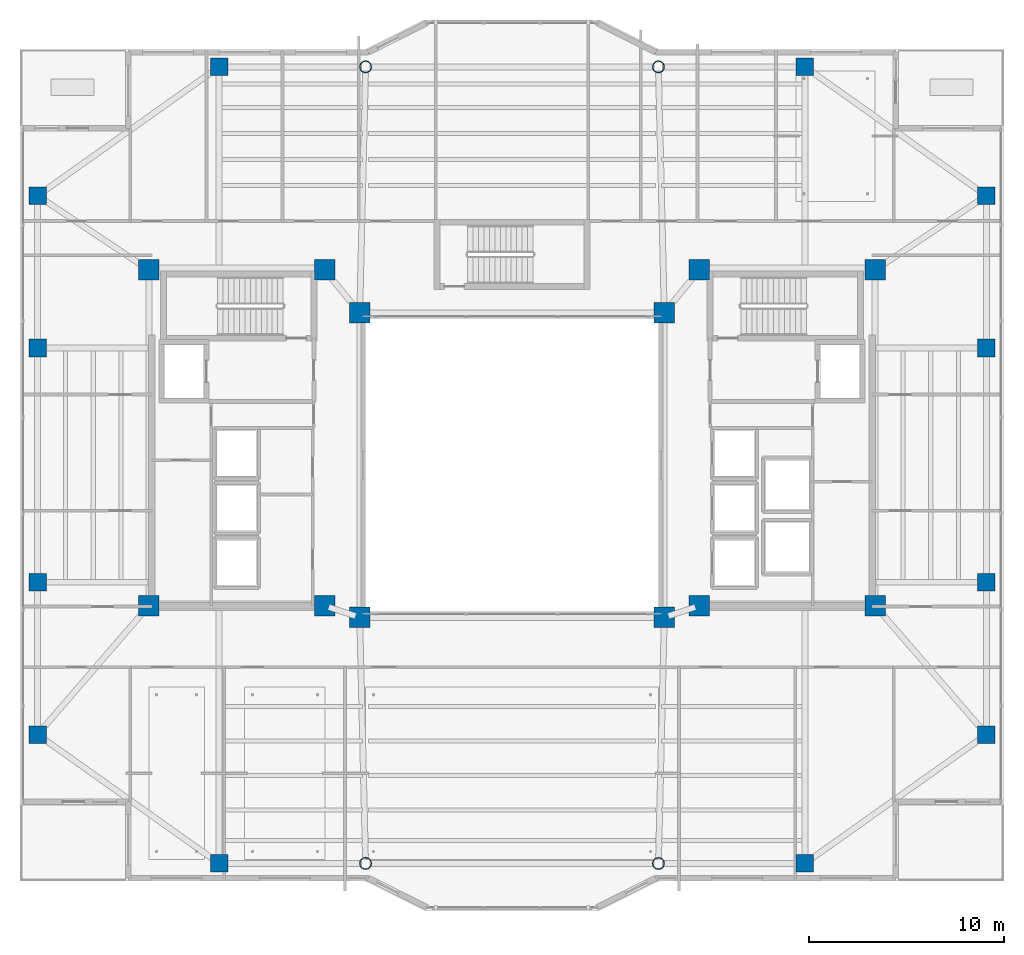
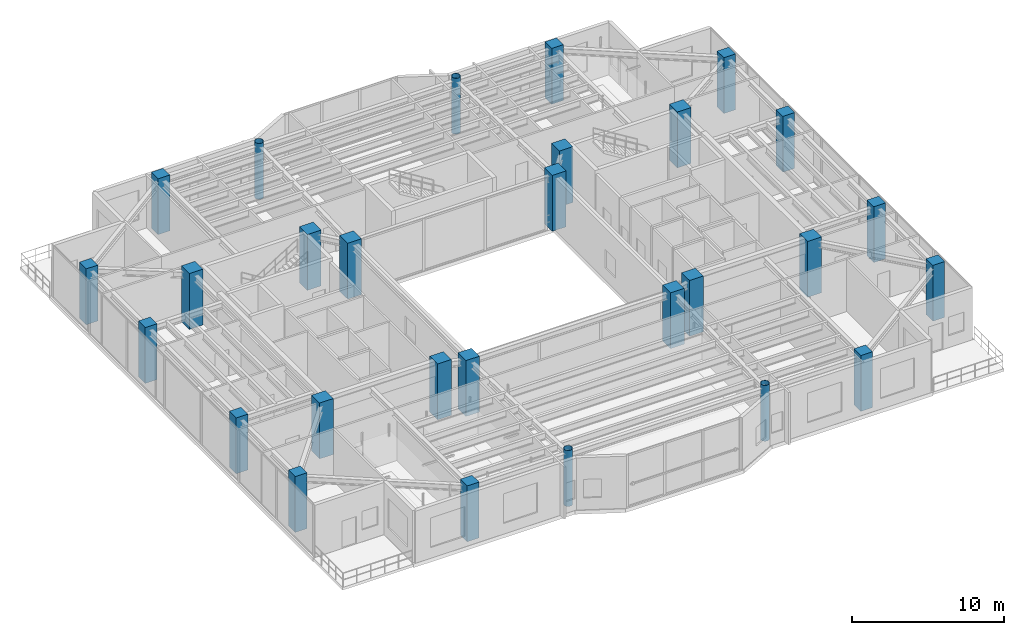
# One storey, part 1 of 33: 28 columns.
"""IFC4 building model written with IfcOpenShell, lengths in metres."""

from ifc_helpers import new_model, si_unit, direction, frame, origin, origin_2d, place, context, subcontext, project, spatial, rectangle, hollow_circle, extrude, material, material_profile, profile_set, type_object, element, save


model = new_model("IFC4")

# Units and contexts
model_context = context("Model", 3, precision=1e-05, world=origin(), true_north=direction((0.0, 1.0)))
body_context = subcontext(model_context, "Body", "Model", "MODEL_VIEW")
ifc_project = project(units=[si_unit("LENGTHUNIT", "METRE"), si_unit("AREAUNIT", "SQUARE_METRE"), si_unit("VOLUMEUNIT", "CUBIC_METRE"), si_unit("PLANEANGLEUNIT", "RADIAN"), si_unit("MASSUNIT", "GRAM", prefix="KILO")], contexts=[model_context])

# Site, building, storey
site_placement = place(None, origin())
site = spatial("IfcSite", under=ifc_project, at=site_placement, CompositionType="ELEMENT")
building_placement = place(site_placement, origin())
building = spatial("IfcBuilding", under=site, at=building_placement, Name="Tarnavaz Court Tower", CompositionType="ELEMENT")
storey_placement = place(building_placement, frame((0.0, 0.0, 172.800048828125)))
storey = spatial("IfcBuildingStorey", under=building, at=storey_placement, Name="L47", CompositionType="ELEMENT", Elevation=172.800048828125)

# Columns
ifc_material_1 = material(Name="Concrete C60/75", Category="concrete")
ifc_material_profile_1 = material_profile(ifc_material_1, rectangle(XDim=1.050048828125, YDim=1.050048828125, at=origin_2d()), Name="RC 1050X1050")
ifc_profile_set_1 = profile_set([ifc_material_profile_1], Name="Concrete C60/75")
column_type_1 = type_object("IfcColumnType", Name="CL-RC1050", PredefinedType="COLUMN", material=ifc_profile_set_1)
for number, where, z_axis, x_axis, name in (
    (1, (-7.800048828125, -7.800048828125, 0.0), (0.0, 0.0, 1.0), (1.0, 0.0, 0.0), "L47 Column IW-SW"),
    (2, (7.800048828125, -7.800048828125, 0.0), (0.0, 0.0, 1.0), (1.0, 0.0, 0.0), "L47 Column IW-SE"),
    (3, (-7.800048828125, 7.800048828125, 0.0), (0.0, 0.0, 1.0), (1.0, 0.0, 0.0), "L47 Column IW-NW"),
    (4, (7.800048828125, 7.800048828125, 0.0), (0.0, 0.0, 1.0), (1.0, 0.0, 0.0), "L47 Column IW-NE"),
    (5, (-9.60009765625, -7.199951171875, 0.0), (0.0, 0.0, 1.0), (1.0, 0.0, 0.0), "L47 Column CW-SI"),
    (6, (-9.60009765625, 10.0, 0.0), (0.0, 0.0, 1.0), (1.0, 0.0, 0.0), "L47 Column CW-NI"),
    (7, (9.60009765625, -7.199951171875, 0.0), (0.0, 0.0, 1.0), (1.0, 0.0, 0.0), "L47 Column CE-SI"),
    (8, (9.60009765625, 10.0, 0.0), (0.0, 0.0, 1.0), (1.0, 0.0, 0.0), "L47 Column CE-NI"),
    (9, (-18.60009765625, -7.199951171875, 0.0), (0.0, 0.0, 1.0), (1.0, 0.0, 0.0), "L47 Column CW-SO"),
    (10, (-18.60009765625, 10.0, 0.0), (0.0, 0.0, 1.0), (1.0, 0.0, 0.0), "L47 Column CW-NO"),
    (11, (18.60009765625, -7.199951171875, 0.0), (0.0, 0.0, 1.0), (1.0, 0.0, 0.0), "L47 Column CE-SO"),
    (12, (18.60009765625, 10.0, 0.0), (0.0, 0.0, 1.0), (1.0, 0.0, 0.0), "L47 Column CE-NO"),
):
    element("IfcColumn", number, at=place(storey_placement, frame(where, z_axis=z_axis, x_axis=x_axis)), inside=storey, type_object=column_type_1, Name=name, PredefinedType="COLUMN", context=body_context, shape_type="SweptSolid", body=[
        extrude(rectangle(XDim=1.050048828125, YDim=1.050048828125, at=origin_2d()), origin(), (0.0, 0.0, 1.0), 4.5),
    ])
ifc_material_2 = material(Name="Concrete C50/60", Category="concrete")
ifc_material_profile_2 = material_profile(ifc_material_2, rectangle(XDim=0.89990234375, YDim=0.89990234375, at=origin_2d()), Name="RC 900X900")
ifc_profile_set_2 = profile_set([ifc_material_profile_2], Name="Concrete C50/60")
column_type_2 = type_object("IfcColumnType", Name="CL-RC900", PredefinedType="COLUMN", material=ifc_profile_set_2)
for number, where, z_axis, x_axis, name in (
    (13, (-15.0, 20.39990234375, 0.0), (0.0, 0.0, 1.0), (1.0, 0.0, 0.0), "L47 Column PN-1"),
    (14, (15.0, 20.39990234375, 0.0), (0.0, 0.0, 1.0), (1.0, 0.0, 0.0), "L47 Column PN-4"),
    (15, (-15.0, -20.39990234375, 0.0), (0.0, 0.0, 1.0), (1.0, 0.0, 0.0), "L47 Column PS-1"),
    (16, (15.0, -20.39990234375, 0.0), (0.0, 0.0, 1.0), (1.0, 0.0, 0.0), "L47 Column PS-4"),
    (17, (24.300048828125, -13.800048828125, 0.0), (0.0, 0.0, 1.0), (1.0, 0.0, 0.0), "L47 Column PE-1"),
    (18, (24.300048828125, -6.0, 0.0), (0.0, 0.0, 1.0), (1.0, 0.0, 0.0), "L47 Column PE-2"),
    (19, (24.300048828125, 6.0, 0.0), (0.0, 0.0, 1.0), (1.0, 0.0, 0.0), "L47 Column PE-3"),
    (20, (24.300048828125, 13.800048828125, 0.0), (0.0, 0.0, 1.0), (1.0, 0.0, 0.0), "L47 Column PE-4"),
    (21, (-24.300048828125, -13.800048828125, 0.0), (0.0, 0.0, 1.0), (1.0, 0.0, 0.0), "L47 Column PW-1"),
    (22, (-24.300048828125, -6.0, 0.0), (0.0, 0.0, 1.0), (1.0, 0.0, 0.0), "L47 Column PW-2"),
    (23, (-24.300048828125, 6.0, 0.0), (0.0, 0.0, 1.0), (1.0, 0.0, 0.0), "L47 Column PW-3"),
    (24, (-24.300048828125, 13.800048828125, 0.0), (0.0, 0.0, 1.0), (1.0, 0.0, 0.0), "L47 Column PW-4"),
):
    element("IfcColumn", number, at=place(storey_placement, frame(where, z_axis=z_axis, x_axis=x_axis)), inside=storey, type_object=column_type_2, Name=name, PredefinedType="COLUMN", context=body_context, shape_type="SweptSolid", body=[
        extrude(rectangle(XDim=0.89990234375, YDim=0.89990234375, at=origin_2d()), origin(), (0.0, 0.0, 1.0), 4.5),
    ])
ifc_material_3 = material(Name="Steel S460", Category="steel")
ifc_material_profile_3 = material_profile(ifc_material_3, hollow_circle(Radius=0.304931640625, WallThickness=0.02490234375, at=origin_2d()), Name="CHS 610X25")
ifc_profile_set_3 = profile_set([ifc_material_profile_3], Name="Steel S460")
column_type_3 = type_object("IfcColumnType", Name="CL-S460-CHS610", PredefinedType="COLUMN", material=ifc_profile_set_3)
for number, where, z_axis, x_axis, name in (
    (25, (-7.5, 20.39990234375, 0.0), (0.0, 0.0, 1.0), (1.0, 0.0, 0.0), "L47 Column PN-2"),
    (26, (7.5, 20.39990234375, 0.0), (0.0, 0.0, 1.0), (1.0, 0.0, 0.0), "L47 Column PN-3"),
    (27, (-7.5, -20.39990234375, 0.0), (0.0, 0.0, 1.0), (1.0, 0.0, 0.0), "L47 Column PS-2"),
    (28, (7.5, -20.39990234375, 0.0), (0.0, 0.0, 1.0), (1.0, 0.0, 0.0), "L47 Column PS-3"),
):
    element("IfcColumn", number, at=place(storey_placement, frame(where, z_axis=z_axis, x_axis=x_axis)), inside=storey, type_object=column_type_3, Name=name, PredefinedType="COLUMN", context=body_context, shape_type="SweptSolid", body=[
        extrude(hollow_circle(Radius=0.304931640625, WallThickness=0.02490234375, at=origin_2d()), origin(), (0.0, 0.0, 1.0), 4.5),
    ])

save(model, "model.ifc")
